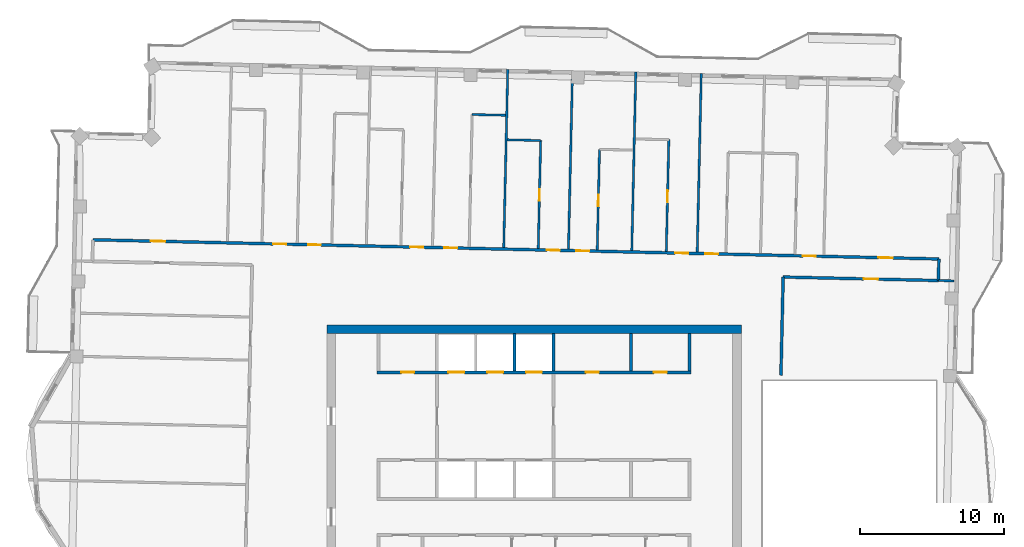
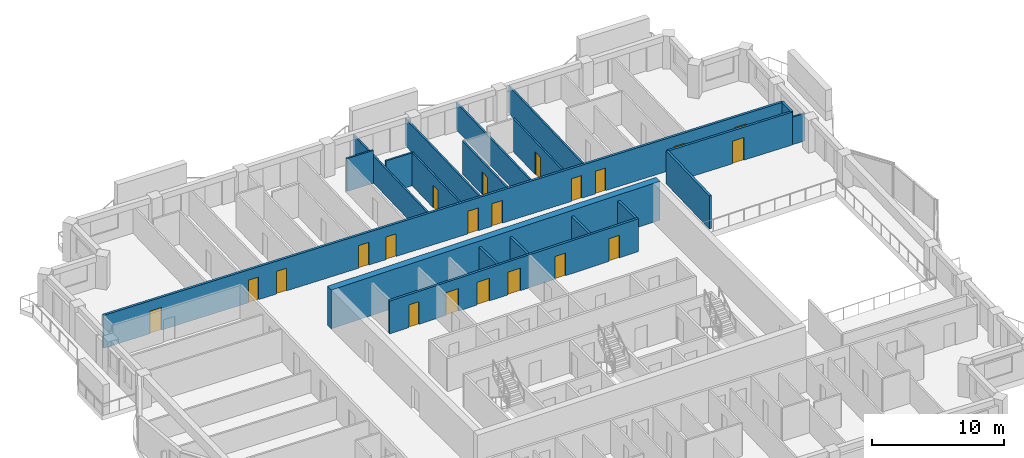
# One storey, part 9 of 15: 21 doors, 20 walls, 21 openings.
"""IFC4 building model written with IfcOpenShell, lengths in metres."""

import ifcopenshell
import ifcopenshell.guid

model = None  # the IFC model being written
_history = None  # IfcOwnerHistory: only IFC2X3 demands one
_inside = {}  # id of a spatial element -> (the spatial element, [elements in it])
_under = {}  # id of a project, library or spatial element -> (it, [spatial elements below it])
_declared = {}  # id of a project -> (the project, [libraries it declares])
_typed = {}  # id of a type object -> (the type object, [elements of that type])
_made_of = {}  # id of a material, layer set ... -> (it, [elements and type objects made of it])


def new_model(schema):
    """Start an empty IFC model of exactly this schema.

    Asked for "IFC4X3", IfcOpenShell would pick the latest addendum, in which some entities
    have other attributes; the version numbers below select the first issue.
    IFC2X3 requires an IfcOwnerHistory on every rooted entity: one is made here for all.
    """
    global model, _history
    if schema == "IFC4X3":
        model = ifcopenshell.file(schema_version=(4, 3, 0, 0))
    else:
        model = ifcopenshell.file(schema=schema)
    _inside.clear()
    _under.clear()
    _declared.clear()
    _typed.clear()
    _made_of.clear()
    _history = None
    if model.schema == "IFC2X3":
        org = make("IfcOrganization", Name="unknown")
        user = make(
            "IfcPersonAndOrganization",
            ThePerson=make("IfcPerson", FamilyName="unknown"),
            TheOrganization=org,
        )
        app = make(
            "IfcApplication",
            ApplicationDeveloper=org,
            Version="unknown",
            ApplicationFullName="unknown",
            ApplicationIdentifier="unknown",
        )
        _history = make(
            "IfcOwnerHistory",
            OwningUser=user,
            OwningApplication=app,
            ChangeAction="ADDED",
            CreationDate=0,
        )
    return model


def make(cls, **values):
    """One entity of the class cls with the attributes given. An attribute that is None is left unset."""
    return model.create_entity(
        cls, **{name: value for name, value in values.items() if value is not None}
    )


def rooted(cls, **values):
    """An entity with a GlobalId (a new one), such as an element, a storey or a relation."""
    return make(cls, GlobalId=ifcopenshell.guid.new(), OwnerHistory=_history, **values)


def si_unit(unit_type, name, prefix=None):
    """IfcSIUnit, for example si_unit("LENGTHUNIT", "METRE", prefix="MILLI")."""
    return make("IfcSIUnit", UnitType=unit_type, Prefix=prefix, Name=name)


def assignment(units):
    """IfcUnitAssignment: the units of a project."""
    return None if units is None else make("IfcUnitAssignment", Units=units)


def point(xyz):
    """IfcCartesianPoint."""
    return None if xyz is None else make("IfcCartesianPoint", Coordinates=xyz)


def direction(xyz):
    """IfcDirection."""
    return None if xyz is None else make("IfcDirection", DirectionRatios=xyz)


def frame(location, z_axis=None, x_axis=None):
    """IfcAxis2Placement3D, a coordinate frame: its origin and axes. An axis left out is left unset."""
    return make(
        "IfcAxis2Placement3D",
        Location=point(location),
        Axis=direction(z_axis),
        RefDirection=direction(x_axis),
    )


def frame_2d(location, x_axis=None):
    """IfcAxis2Placement2D, a coordinate frame in the plane: its origin and x axis."""
    return make(
        "IfcAxis2Placement2D", Location=point(location), RefDirection=direction(x_axis)
    )


def origin():
    """The frame at (0, 0, 0) with its axes left unset."""
    return frame((0.0, 0.0, 0.0))


def place(relative_to, where):
    """IfcLocalPlacement: puts the frame where relative to a parent placement (None: the world)."""
    return make(
        "IfcLocalPlacement", PlacementRelTo=relative_to, RelativePlacement=where
    )


def context(
    kind, dimensions, precision=None, world=None, true_north=None, identifier=None
):
    """IfcGeometricRepresentationContext, for example the 3D "Model" context."""
    return make(
        "IfcGeometricRepresentationContext",
        ContextIdentifier=identifier,
        ContextType=kind,
        CoordinateSpaceDimension=dimensions,
        Precision=precision,
        WorldCoordinateSystem=world,
        TrueNorth=true_north,
    )


def subcontext(parent, identifier, kind, view, scale=None):
    """IfcGeometricRepresentationSubContext, for example "Body" below "Model"."""
    return make(
        "IfcGeometricRepresentationSubContext",
        ContextIdentifier=identifier,
        ContextType=kind,
        ParentContext=parent,
        TargetScale=scale,
        TargetView=view,
    )


def project(units=None, contexts=None):
    """IfcProject with its units and contexts."""
    return rooted(
        "IfcProject",
        Name="project",
        RepresentationContexts=contexts,
        UnitsInContext=assignment(units),
    )


def spatial(cls, under=None, at=None, **own):
    """A site, building, storey or space (cls), placed at a placement, below another one or the project."""
    s = rooted(cls, ObjectPlacement=at, **own)
    if under is not None:
        _under.setdefault(under.id(), (under, []))[1].append(s)
    return s


def profile(cls, at=None, kind="AREA", **sizes):
    """A parametric profile (cls). Its sizes go by their IFC names, for example OverallWidth=200.0."""
    return make(cls, ProfileType=kind, Position=at, **sizes)


def rectangle(**sizes):
    """IfcRectangleProfileDef."""
    return profile("IfcRectangleProfileDef", **sizes)


def extrude(swept, where, along, depth):
    """IfcExtrudedAreaSolid: the profile swept, set in the frame where, extruded along a direction by depth."""
    return make(
        "IfcExtrudedAreaSolid",
        SweptArea=swept,
        Position=where,
        ExtrudedDirection=direction(along),
        Depth=depth,
    )


def shape(context_of_items, identifier, shape_type, items):
    """IfcShapeRepresentation: the items that make up one representation, for example the "Body"."""
    return make(
        "IfcShapeRepresentation",
        ContextOfItems=context_of_items,
        RepresentationIdentifier=identifier,
        RepresentationType=shape_type,
        Items=items,
    )


def material(Name=None, Category=None):
    """IfcMaterial."""
    return make("IfcMaterial", Name=Name, Category=Category)


def layer(
    of_material, thickness, ventilated=None, Name=None, Category=None, Priority=None
):
    """IfcMaterialLayer: one layer of a wall or slab, of a material (None: an air gap)."""
    return make(
        "IfcMaterialLayer",
        Material=of_material,
        LayerThickness=thickness,
        IsVentilated=ventilated,
        Name=Name,
        Category=Category,
        Priority=Priority,
    )


def layer_set(layers, Name=None):
    """IfcMaterialLayerSet."""
    return make("IfcMaterialLayerSet", MaterialLayers=layers, LayerSetName=Name)


def made_of(thing, what):
    """Note that an element or type object is made of a material, layer set ...; save() writes the relation."""
    if what is not None:
        _made_of.setdefault(what.id(), (what, []))[1].append(thing)
    return thing


def type_object(cls, material=None, **own):
    """A type object (cls), such as IfcWallType, which elements share."""
    return made_of(rooted(cls, **own), material)


def element(
    cls,
    number,
    at=None,
    inside=None,
    cuts=None,
    type_object=None,
    material=None,
    context=None,
    identifier="Body",
    shape_type=None,
    held_by="IfcProductDefinitionShape",
    body=None,
    shapes=None,
    **own,
):
    """One element of the class cls, such as IfcWall. Its Tag is "e" and its number.

    at: its placement. inside: the storey or other place that contains it. cuts: it is an
    opening in that element (IfcRelVoidsElement). A single representation is given by context,
    identifier, shape_type and body (its items); several are given by shapes. held_by: the class
    of the entity that holds the representations. save() writes the other relations.
    """
    e = rooted(cls, Tag="e%d" % number, ObjectPlacement=at, **own)
    if body is not None:
        shapes = [shape(context, identifier, shape_type, body)]
    if shapes is not None:
        e.Representation = make(held_by, Representations=shapes)
    if inside is not None:
        _inside.setdefault(inside.id(), (inside, []))[1].append(e)
    if cuts is not None:
        rooted(
            "IfcRelVoidsElement", RelatingBuildingElement=cuts, RelatedOpeningElement=e
        )
    if type_object is not None:
        _typed.setdefault(type_object.id(), (type_object, []))[1].append(e)
    return made_of(e, material)


def fill(opening, filler):
    """IfcRelFillsElement: the door or window that sits in an opening."""
    return rooted(
        "IfcRelFillsElement",
        RelatingOpeningElement=opening,
        RelatedBuildingElement=filler,
    )


def aggregate(whole, parts):
    """IfcRelAggregates: a whole, such as a stair, and the parts it consists of."""
    return rooted("IfcRelAggregates", RelatingObject=whole, RelatedObjects=parts)


def save(model, path):
    """Write the relations noted so far, then the file.

    IfcRelAggregates (storeys below a building ...), IfcRelContainedInSpatialStructure (elements
    in a storey), IfcRelDefinesByType, IfcRelAssociatesMaterial and IfcRelDeclares: one each for
    every whole, place, type object, material and project.
    """
    for whole, parts in _under.values():
        aggregate(whole, parts)
    for where, things in _inside.values():
        rooted(
            "IfcRelContainedInSpatialStructure",
            RelatedElements=things,
            RelatingStructure=where,
        )
    for kind, things in _typed.values():
        rooted("IfcRelDefinesByType", RelatedObjects=things, RelatingType=kind)
    for what, things in _made_of.values():
        rooted("IfcRelAssociatesMaterial", RelatedObjects=things, RelatingMaterial=what)
    for by, libraries in _declared.values():
        rooted("IfcRelDeclares", RelatingContext=by, RelatedDefinitions=libraries)
    model.write(path)


model = new_model("IFC4")

# Units and contexts
model_context = context("Model", 3, precision=1e-05, world=origin(), true_north=direction((0.0, 1.0)))
body_context = subcontext(model_context, "Body", "Model", "MODEL_VIEW")
ifc_project = project(units=[si_unit("LENGTHUNIT", "METRE"), si_unit("AREAUNIT", "SQUARE_METRE"), si_unit("VOLUMEUNIT", "CUBIC_METRE"), si_unit("PLANEANGLEUNIT", "RADIAN"), si_unit("MASSUNIT", "GRAM", prefix="KILO")], contexts=[model_context])

# Site, building, storey
site_placement = place(None, origin())
site = spatial("IfcSite", under=ifc_project, at=site_placement, CompositionType="ELEMENT")
building_placement = place(site_placement, origin())
building = spatial("IfcBuilding", under=site, at=building_placement, Name="Mangrove Gate Tower", CompositionType="ELEMENT")
storey_placement = place(building_placement, frame((0.0, 0.0, 309.699951171875)))
storey = spatial("IfcBuildingStorey", under=building, at=storey_placement, Name="L79", CompositionType="ELEMENT", Elevation=309.699951171875)

# Walls
ifc_material_1 = material(Name="Concrete C32/40", Category="concrete")
ifc_layer_1 = layer(ifc_material_1, 0.199951171875)
ifc_layer_set_1 = layer_set([ifc_layer_1], Name="Core room wall 200 C32/40")
wall_type_1 = type_object("IfcWallType", Name="Core room wall 200 C32/40", PredefinedType="STANDARD", material=ifc_layer_set_1)
for number, where, z_axis, x_axis, name in (
    (1, (6.75, 8.199951171875, 0.0), (0.0, 0.0, 1.0), (0.0, 1.0, 0.0), "WALL-L79-CORE-31"),
    (2, (10.800048828125, 8.199951171875, 0.0), (0.0, 0.0, 1.0), (0.0, 1.0, 0.0), "WALL-L79-CORE-32"),
):
    element("IfcWall", number, at=place(storey_placement, frame(where, z_axis=z_axis, x_axis=x_axis)), inside=storey, type_object=wall_type_1, Name=name, PredefinedType="STANDARD", context=body_context, shape_type="SweptSolid", body=[
        extrude(rectangle(XDim=2.60009765625, YDim=0.199951171875, at=frame_2d((1.300048828125, 0.0))), origin(), (0.0, 0.0, 1.0), 3.050048828125),
    ])

# Wall, openings, doors
ifc_material_2 = material(Name="Concrete C50/60", Category="concrete")
ifc_layer_2 = layer(ifc_material_2, 0.199951171875)
ifc_layer_set_2 = layer_set([ifc_layer_2], Name="Core shaft wall 200 C50/60")
wall_type_2 = type_object("IfcWallType", Name="Core shaft wall 200 C50/60", PredefinedType="SHEAR", material=ifc_layer_set_2)
wall_1_placement = place(storey_placement, frame((-10.89990234375, 8.10009765625, 0.0), z_axis=(0.0, 0.0, 1.0), x_axis=(1.0, 0.0, 0.0)))
wall_1 = element("IfcWall", 3, at=wall_1_placement, inside=storey, type_object=wall_type_2, Name="WALL-L79-CORE-8", PredefinedType="SHEAR", context=body_context, shape_type="SweptSolid", body=[
    extrude(rectangle(XDim=21.7998046875, YDim=0.199951171875, at=frame_2d((10.89990234375, 0.0))), origin(), (0.0, 0.0, 1.0), 3.050048828125),
])
opening_1_placement = place(wall_1_placement, frame((4.949951171875, 0.0, 0.0)))
opening_1 = element("IfcOpeningElement", 4, at=opening_1_placement, cuts=wall_1, Name="Opening LD", PredefinedType="OPENING", context=body_context, shape_type="SweptSolid", body=[
    extrude(rectangle(XDim=1.10009765625, YDim=2.10009765625, at=frame_2d((0.550048828125, 1.050048828125))), frame((0.0, 0.10986328125, 0.0), z_axis=(0.0, -1.0, 0.0), x_axis=(1.0, 0.0, 0.0)), (0.0, 0.0, 1.0), 0.219970703125),
])
opening_2_placement = place(wall_1_placement, frame((7.64990234375, 0.0, 0.0)))
opening_2 = element("IfcOpeningElement", 5, at=opening_2_placement, cuts=wall_1, Name="Opening LD", PredefinedType="OPENING", context=body_context, shape_type="SweptSolid", body=[
    extrude(rectangle(XDim=1.10009765625, YDim=2.10009765625, at=frame_2d((0.550048828125, 1.050048828125))), frame((0.0, 0.10986328125, 0.0), z_axis=(0.0, -1.0, 0.0), x_axis=(1.0, 0.0, 0.0)), (0.0, 0.0, 1.0), 0.219970703125),
])
opening_3_placement = place(wall_1_placement, frame((10.35009765625, 0.0, 0.0)))
opening_3 = element("IfcOpeningElement", 6, at=opening_3_placement, cuts=wall_1, Name="Opening LD", PredefinedType="OPENING", context=body_context, shape_type="SweptSolid", body=[
    extrude(rectangle(XDim=1.10009765625, YDim=2.10009765625, at=frame_2d((0.550048828125, 1.050048828125))), frame((0.0, 0.10986328125, 0.0), z_axis=(0.0, -1.0, 0.0), x_axis=(1.0, 0.0, 0.0)), (0.0, 0.0, 1.0), 0.219970703125),
])
opening_4_placement = place(wall_1_placement, frame((1.675048828125, 0.0, 0.0)))
opening_4 = element("IfcOpeningElement", 7, at=opening_4_placement, cuts=wall_1, Name="Opening KD", PredefinedType="OPENING", context=body_context, shape_type="SweptSolid", body=[
    extrude(rectangle(XDim=0.89990234375, YDim=2.10009765625, at=frame_2d((0.449951171875, 1.050048828125))), frame((0.0, 0.10986328125, 0.0), z_axis=(0.0, -1.0, 0.0), x_axis=(1.0, 0.0, 0.0)), (0.0, 0.0, 1.0), 0.219970703125),
])
opening_5_placement = place(wall_1_placement, frame((14.5, 0.0, 0.0)))
opening_5 = element("IfcOpeningElement", 8, at=opening_5_placement, cuts=wall_1, Name="Opening RD", PredefinedType="OPENING", context=body_context, shape_type="SweptSolid", body=[
    extrude(rectangle(XDim=0.89990234375, YDim=2.10009765625, at=frame_2d((0.449951171875, 1.050048828125))), frame((0.0, 0.10986328125, 0.0), z_axis=(0.0, -1.0, 0.0), x_axis=(1.0, 0.0, 0.0)), (0.0, 0.0, 1.0), 0.219970703125),
])
opening_6_placement = place(wall_1_placement, frame((19.22509765625, 0.0, 0.0)))
opening_6 = element("IfcOpeningElement", 9, at=opening_6_placement, cuts=wall_1, Name="Opening RD", PredefinedType="OPENING", context=body_context, shape_type="SweptSolid", body=[
    extrude(rectangle(XDim=0.89990234375, YDim=2.10009765625, at=frame_2d((0.449951171875, 1.050048828125))), frame((0.0, 0.10986328125, 0.0), z_axis=(0.0, -1.0, 0.0), x_axis=(1.0, 0.0, 0.0)), (0.0, 0.0, 1.0), 0.219970703125),
])
ifc_material_3 = material(Name="Fire-rated steel door set", Category="steel")
door_type_1 = type_object("IfcDoorType", Name="Core room door FD30S 900x2100", OperationType="SINGLE_SWING_RIGHT", PredefinedType="DOOR", material=ifc_material_3)
door_1_placement = place(opening_4_placement, origin())
door_1 = element("IfcDoor", 10, at=door_1_placement, inside=storey, type_object=door_type_1, Name="Core room door Linen store", OperationType="SINGLE_SWING_RIGHT", OverallHeight=2.10009765625, OverallWidth=0.89990234375, PredefinedType="DOOR", context=body_context, shape_type="SweptSolid", body=[
    extrude(rectangle(XDim=0.89990234375, YDim=2.10009765625, at=frame_2d((0.449951171875, 1.050048828125))), frame((0.0, 0.02490234375, 0.0), z_axis=(0.0, -1.0, 0.0), x_axis=(1.0, 0.0, 0.0)), (0.0, 0.0, 1.0), 0.050048828125),
])
fill(opening_4, door_1)
ifc_material_4 = material(Name="Stainless steel 316", Category="steel")
door_type_2 = type_object("IfcDoorType", Name="Lift landing door 1100x2100", OperationType="SLIDING_TO_LEFT", PredefinedType="DOOR", material=ifc_material_4)
door_2_placement = place(opening_1_placement, origin())
door_2 = element("IfcDoor", 11, at=door_2_placement, inside=storey, type_object=door_type_2, Name="Landing door LD H04", OperationType="SLIDING_TO_LEFT", OverallHeight=2.10009765625, OverallWidth=1.10009765625, PredefinedType="DOOR", context=body_context, shape_type="SweptSolid", body=[
    extrude(rectangle(XDim=1.10009765625, YDim=2.10009765625, at=frame_2d((0.550048828125, 1.050048828125))), frame((0.0, 0.02490234375, 0.0), z_axis=(0.0, -1.0, 0.0), x_axis=(1.0, 0.0, 0.0)), (0.0, 0.0, 1.0), 0.050048828125),
])
fill(opening_1, door_2)
door_3_placement = place(opening_2_placement, origin())
door_3 = element("IfcDoor", 12, at=door_3_placement, inside=storey, type_object=door_type_2, Name="Landing door LD H05", OperationType="SLIDING_TO_LEFT", OverallHeight=2.10009765625, OverallWidth=1.10009765625, PredefinedType="DOOR", context=body_context, shape_type="SweptSolid", body=[
    extrude(rectangle(XDim=1.10009765625, YDim=2.10009765625, at=frame_2d((0.550048828125, 1.050048828125))), frame((0.0, 0.02490234375, 0.0), z_axis=(0.0, -1.0, 0.0), x_axis=(1.0, 0.0, 0.0)), (0.0, 0.0, 1.0), 0.050048828125),
])
fill(opening_2, door_3)
door_4_placement = place(opening_3_placement, origin())
door_4 = element("IfcDoor", 13, at=door_4_placement, inside=storey, type_object=door_type_2, Name="Landing door LD H06", OperationType="SLIDING_TO_LEFT", OverallHeight=2.10009765625, OverallWidth=1.10009765625, PredefinedType="DOOR", context=body_context, shape_type="SweptSolid", body=[
    extrude(rectangle(XDim=1.10009765625, YDim=2.10009765625, at=frame_2d((0.550048828125, 1.050048828125))), frame((0.0, 0.02490234375, 0.0), z_axis=(0.0, -1.0, 0.0), x_axis=(1.0, 0.0, 0.0)), (0.0, 0.0, 1.0), 0.050048828125),
])
fill(opening_3, door_4)
ifc_material_5 = material(Name="Fire-rated steel door set", Category="steel")
door_type_3 = type_object("IfcDoorType", Name="Riser door FD30S 900x2100", OperationType="SINGLE_SWING_LEFT", PredefinedType="DOOR", material=ifc_material_5)
door_5_placement = place(opening_5_placement, origin())
door_5 = element("IfcDoor", 14, at=door_5_placement, inside=storey, type_object=door_type_3, Name="Riser door Switch room", OperationType="SINGLE_SWING_LEFT", OverallHeight=2.10009765625, OverallWidth=0.89990234375, PredefinedType="DOOR", context=body_context, shape_type="SweptSolid", body=[
    extrude(rectangle(XDim=0.89990234375, YDim=2.10009765625, at=frame_2d((0.449951171875, 1.050048828125))), frame((0.0, 0.02490234375, 0.0), z_axis=(0.0, -1.0, 0.0), x_axis=(1.0, 0.0, 0.0)), (0.0, 0.0, 1.0), 0.050048828125),
])
fill(opening_5, door_5)
door_6_placement = place(opening_6_placement, origin())
door_6 = element("IfcDoor", 15, at=door_6_placement, inside=storey, type_object=door_type_3, Name="Riser door Comms room", OperationType="SINGLE_SWING_LEFT", OverallHeight=2.10009765625, OverallWidth=0.89990234375, PredefinedType="DOOR", context=body_context, shape_type="SweptSolid", body=[
    extrude(rectangle(XDim=0.89990234375, YDim=2.10009765625, at=frame_2d((0.449951171875, 1.050048828125))), frame((0.0, 0.02490234375, 0.0), z_axis=(0.0, -1.0, 0.0), x_axis=(1.0, 0.0, 0.0)), (0.0, 0.0, 1.0), 0.050048828125),
])
fill(opening_6, door_6)

# Walls
for number, where, z_axis, x_axis, name in (
    (16, (-1.35009765625, 8.199951171875, 0.0), (0.0, 0.0, 1.0), (0.0, 1.0, 0.0), "WALL-L79-CORE-29"),
    (17, (1.35009765625, 8.199951171875, 0.0), (0.0, 0.0, 1.0), (0.0, 1.0, 0.0), "WALL-L79-CORE-30"),
):
    element("IfcWall", number, at=place(storey_placement, frame(where, z_axis=z_axis, x_axis=x_axis)), inside=storey, type_object=wall_type_2, Name=name, PredefinedType="SHEAR", context=body_context, shape_type="SweptSolid", body=[
        extrude(rectangle(XDim=2.60009765625, YDim=0.199951171875, at=frame_2d((1.300048828125, 0.0))), origin(), (0.0, 0.0, 1.0), 3.050048828125),
    ])
ifc_material_6 = material(Name="Concrete C50/60", Category="concrete")
ifc_layer_3 = layer(ifc_material_6, 0.60009765625)
ifc_layer_set_3 = layer_set([ifc_layer_3], Name="Core wall 600 C50/60")
wall_type_3 = type_object("IfcWallType", Name="Core wall 600 C50/60", PredefinedType="SHEAR", material=ifc_layer_set_3)
wall_2_placement = place(storey_placement, frame((-14.39990234375, 11.10009765625, 0.0), z_axis=(0.0, 0.0, 1.0), x_axis=(1.0, 0.0, 0.0)))
element("IfcWall", 18, at=wall_2_placement, inside=storey, type_object=wall_type_3, Name="WALL-L79-CORE-2", PredefinedType="SHEAR", context=body_context, shape_type="SweptSolid", body=[
    extrude(rectangle(XDim=28.7998046875, YDim=0.60009765625, at=frame_2d((14.39990234375, 0.0))), origin(), (0.0, 0.0, 1.0), 3.60009765625),
])
ifc_material_7 = material(Name="Gypsum board on steel stud, EI 60", Category="steel")
ifc_layer_4 = layer(ifc_material_7, 0.199951171875)
ifc_layer_set_4 = layer_set([ifc_layer_4], Name="Corridor wall EI 60")
wall_type_4 = type_object("IfcWallType", Name="Corridor wall EI 60", PredefinedType="PARTITIONING", material=ifc_layer_set_4)
wall_3_placement = place(storey_placement, frame((17.156982421875, 7.89794921875, 0.0), z_axis=(0.0, 0.0, 1.0), x_axis=(0.022562209343, 0.999745440955, 0.0)))
element("IfcWall", 19, at=wall_3_placement, inside=storey, type_object=wall_type_4, Name="WALL-L79-049", PredefinedType="PARTITIONING", context=body_context, shape_type="SweptSolid", body=[
    extrude(rectangle(XDim=6.827880859375, YDim=0.199951171875, at=frame_2d((3.4140625, 0.0))), origin(), (0.0, 0.0, 1.0), 3.050048828125),
])

# Wall, opening, door
wall_4_placement = place(storey_placement, frame((17.305908203125, 14.72412109375, 0.0), z_axis=(0.0, 0.0, 1.0), x_axis=(0.999744269809, -0.022614043969, 0.0)))
wall_4 = element("IfcWall", 20, at=wall_4_placement, inside=storey, type_object=wall_type_4, Name="WALL-L79-055", PredefinedType="PARTITIONING", context=body_context, shape_type="SweptSolid", body=[
    extrude(rectangle(XDim=10.7958984375, YDim=0.199951171875, at=frame_2d((5.39794921875, 0.0))), origin(), (0.0, 0.0, 1.0), 3.050048828125),
])
opening_7_placement = place(wall_4_placement, frame((5.597900390625, 0.0, 0.0)))
opening_7 = element("IfcOpeningElement", 21, at=opening_7_placement, cuts=wall_4, Name="Opening AD", PredefinedType="OPENING", context=body_context, shape_type="SweptSolid", body=[
    extrude(rectangle(XDim=1.0, YDim=2.10009765625, at=frame_2d((0.5, 1.050048828125))), frame((0.0, 0.10986328125, 0.0), z_axis=(0.0, -1.0, 0.0), x_axis=(1.0, 0.0, 0.0)), (0.0, 0.0, 1.0), 0.219970703125),
])
ifc_material_8 = material(Name="Timber door leaf", Category="wood")
door_type_4 = type_object("IfcDoorType", Name="Amenity door 1000", OperationType="SINGLE_SWING_LEFT", PredefinedType="DOOR", material=ifc_material_8)
door_7_placement = place(opening_7_placement, origin())
door_7 = element("IfcDoor", 22, at=door_7_placement, inside=storey, type_object=door_type_4, Name="DOOR-L79-GAM-c3a", OperationType="SINGLE_SWING_RIGHT", OverallHeight=2.10009765625, OverallWidth=1.0, PredefinedType="DOOR", context=body_context, shape_type="SweptSolid", body=[
    extrude(rectangle(XDim=1.0, YDim=2.10009765625, at=frame_2d((0.5, 1.050048828125))), frame((0.0, 0.02490234375, 0.0), z_axis=(0.0, -1.0, 0.0), x_axis=(1.0, 0.0, 0.0)), (0.0, 0.0, 1.0), 0.050048828125),
])
fill(opening_7, door_7)

# Wall
wall_5_placement = place(storey_placement, frame((28.09912109375, 14.47998046875, 0.0), z_axis=(0.0, 0.0, 1.0), x_axis=(0.022632637625, 0.99974384905, 0.0)))
element("IfcWall", 23, at=wall_5_placement, inside=storey, type_object=wall_type_4, Name="WALL-L79-057", PredefinedType="PARTITIONING", context=body_context, shape_type="SweptSolid", body=[
    extrude(rectangle(XDim=1.49951171875, YDim=0.199951171875, at=frame_2d((0.749755859375, 0.0))), origin(), (0.0, 0.0, 1.0), 3.050048828125),
])

# Wall, openings, doors
wall_6_placement = place(storey_placement, frame((-30.652099609375, 17.31298828125, 0.0), z_axis=(0.0, 0.0, 1.0), x_axis=(0.999742623764, -0.02268669719, 0.0)))
wall_6 = element("IfcWall", 24, at=wall_6_placement, inside=storey, type_object=wall_type_4, Name="WALL-L79-058", PredefinedType="PARTITIONING", context=body_context, shape_type="SweptSolid", body=[
    extrude(rectangle(XDim=58.80029296875, YDim=0.199951171875, at=frame_2d((29.400146484375, 0.0))), origin(), (0.0, 0.0, 1.0), 3.050048828125),
])
opening_8_placement = place(wall_6_placement, frame((54.60107421875, 0.0, 0.0)))
opening_8 = element("IfcOpeningElement", 25, at=opening_8_placement, cuts=wall_6, Name="Opening AD", PredefinedType="OPENING", context=body_context, shape_type="SweptSolid", body=[
    extrude(rectangle(XDim=1.0, YDim=2.10009765625, at=frame_2d((0.5, 1.050048828125))), frame((0.0, 0.10986328125, 0.0), z_axis=(0.0, -1.0, 0.0), x_axis=(1.0, 0.0, 0.0)), (0.0, 0.0, 1.0), 0.219970703125),
])
opening_9_placement = place(wall_6_placement, frame((49.35009765625, 0.0, 0.0)))
opening_9 = element("IfcOpeningElement", 26, at=opening_9_placement, cuts=wall_6, Name="Opening BD", PredefinedType="OPENING", context=body_context, shape_type="SweptSolid", body=[
    extrude(rectangle(XDim=0.89990234375, YDim=2.10009765625, at=frame_2d((0.449951171875, 1.050048828125))), frame((0.0, 0.10986328125, 0.0), z_axis=(0.0, -1.0, 0.0), x_axis=(1.0, 0.0, 0.0)), (0.0, 0.0, 1.0), 0.219970703125),
])
opening_10_placement = place(wall_6_placement, frame((42.550048828125, 0.0, 0.0)))
opening_10 = element("IfcOpeningElement", 27, at=opening_10_placement, cuts=wall_6, Name="Opening BD", PredefinedType="OPENING", context=body_context, shape_type="SweptSolid", body=[
    extrude(rectangle(XDim=0.89990234375, YDim=2.10009765625, at=frame_2d((0.449951171875, 1.050048828125))), frame((0.0, 0.10986328125, 0.0), z_axis=(0.0, -1.0, 0.0), x_axis=(1.0, 0.0, 0.0)), (0.0, 0.0, 1.0), 0.219970703125),
])
opening_11_placement = place(wall_6_placement, frame((40.47509765625, 0.0, 0.0)))
opening_11 = element("IfcOpeningElement", 28, at=opening_11_placement, cuts=wall_6, Name="Opening BD", PredefinedType="OPENING", context=body_context, shape_type="SweptSolid", body=[
    extrude(rectangle(XDim=0.89990234375, YDim=2.10009765625, at=frame_2d((0.449951171875, 1.050048828125))), frame((0.0, 0.10986328125, 0.0), z_axis=(0.0, -1.0, 0.0), x_axis=(1.0, 0.0, 0.0)), (0.0, 0.0, 1.0), 0.219970703125),
])
opening_12_placement = place(wall_6_placement, frame((33.60009765625, 0.0, 0.0)))
opening_12 = element("IfcOpeningElement", 29, at=opening_12_placement, cuts=wall_6, Name="Opening BD", PredefinedType="OPENING", context=body_context, shape_type="SweptSolid", body=[
    extrude(rectangle(XDim=0.89990234375, YDim=2.10009765625, at=frame_2d((0.449951171875, 1.050048828125))), frame((0.0, 0.10986328125, 0.0), z_axis=(0.0, -1.0, 0.0), x_axis=(1.0, 0.0, 0.0)), (0.0, 0.0, 1.0), 0.219970703125),
])
opening_13_placement = place(wall_6_placement, frame((31.550048828125, 0.0, 0.0)))
opening_13 = element("IfcOpeningElement", 30, at=opening_13_placement, cuts=wall_6, Name="Opening BD", PredefinedType="OPENING", context=body_context, shape_type="SweptSolid", body=[
    extrude(rectangle(XDim=0.89990234375, YDim=2.10009765625, at=frame_2d((0.449951171875, 1.050048828125))), frame((0.0, 0.10986328125, 0.0), z_axis=(0.0, -1.0, 0.0), x_axis=(1.0, 0.0, 0.0)), (0.0, 0.0, 1.0), 0.219970703125),
])
opening_14_placement = place(wall_6_placement, frame((24.425048828125, 0.0, 0.0)))
opening_14 = element("IfcOpeningElement", 31, at=opening_14_placement, cuts=wall_6, Name="Opening BD", PredefinedType="OPENING", context=body_context, shape_type="SweptSolid", body=[
    extrude(rectangle(XDim=0.89990234375, YDim=2.10009765625, at=frame_2d((0.449951171875, 1.050048828125))), frame((0.0, 0.10986328125, 0.0), z_axis=(0.0, -1.0, 0.0), x_axis=(1.0, 0.0, 0.0)), (0.0, 0.0, 1.0), 0.219970703125),
])
opening_15_placement = place(wall_6_placement, frame((22.050048828125, 0.0, 0.0)))
opening_15 = element("IfcOpeningElement", 32, at=opening_15_placement, cuts=wall_6, Name="Opening BD", PredefinedType="OPENING", context=body_context, shape_type="SweptSolid", body=[
    extrude(rectangle(XDim=0.89990234375, YDim=2.10009765625, at=frame_2d((0.449951171875, 1.050048828125))), frame((0.0, 0.10986328125, 0.0), z_axis=(0.0, -1.0, 0.0), x_axis=(1.0, 0.0, 0.0)), (0.0, 0.0, 1.0), 0.219970703125),
])
opening_16_placement = place(wall_6_placement, frame((14.949951171875, 0.0, 0.0)))
opening_16 = element("IfcOpeningElement", 33, at=opening_16_placement, cuts=wall_6, Name="Opening BD", PredefinedType="OPENING", context=body_context, shape_type="SweptSolid", body=[
    extrude(rectangle(XDim=0.89990234375, YDim=2.10009765625, at=frame_2d((0.449951171875, 1.050048828125))), frame((0.0, 0.10986328125, 0.0), z_axis=(0.0, -1.0, 0.0), x_axis=(1.0, 0.0, 0.0)), (0.0, 0.0, 1.0), 0.219970703125),
])
opening_17_placement = place(wall_6_placement, frame((12.52490234375, 0.0, 0.0)))
opening_17 = element("IfcOpeningElement", 34, at=opening_17_placement, cuts=wall_6, Name="Opening BD", PredefinedType="OPENING", context=body_context, shape_type="SweptSolid", body=[
    extrude(rectangle(XDim=0.89990234375, YDim=2.10009765625, at=frame_2d((0.449951171875, 1.050048828125))), frame((0.0, 0.10986328125, 0.0), z_axis=(0.0, -1.0, 0.0), x_axis=(1.0, 0.0, 0.0)), (0.0, 0.0, 1.0), 0.219970703125),
])
opening_18_placement = place(wall_6_placement, frame((4.031982421875, 0.0, 0.0)))
opening_18 = element("IfcOpeningElement", 35, at=opening_18_placement, cuts=wall_6, Name="Opening AD", PredefinedType="OPENING", context=body_context, shape_type="SweptSolid", body=[
    extrude(rectangle(XDim=1.0, YDim=2.10009765625, at=frame_2d((0.5, 1.050048828125))), frame((0.0, 0.10986328125, 0.0), z_axis=(0.0, -1.0, 0.0), x_axis=(1.0, 0.0, 0.0)), (0.0, 0.0, 1.0), 0.219970703125),
])
door_8_placement = place(opening_8_placement, origin())
door_8 = element("IfcDoor", 36, at=door_8_placement, inside=storey, type_object=door_type_4, Name="DOOR-L79-KIT-c3a", OperationType="SINGLE_SWING_LEFT", OverallHeight=2.10009765625, OverallWidth=1.0, PredefinedType="DOOR", context=body_context, shape_type="SweptSolid", body=[
    extrude(rectangle(XDim=1.0, YDim=2.10009765625, at=frame_2d((0.5, 1.050048828125))), frame((0.0, 0.02490234375, 0.0), z_axis=(0.0, -1.0, 0.0), x_axis=(1.0, 0.0, 0.0)), (0.0, 0.0, 1.0), 0.050048828125),
])
fill(opening_8, door_8)
door_9_placement = place(opening_18_placement, origin())
door_9 = element("IfcDoor", 37, at=door_9_placement, inside=storey, type_object=door_type_4, Name="DOOR-L79-KIT-c5a", OperationType="SINGLE_SWING_RIGHT", OverallHeight=2.10009765625, OverallWidth=1.0, PredefinedType="DOOR", context=body_context, shape_type="SweptSolid", body=[
    extrude(rectangle(XDim=1.0, YDim=2.10009765625, at=frame_2d((0.5, 1.050048828125))), frame((0.0, 0.02490234375, 0.0), z_axis=(0.0, -1.0, 0.0), x_axis=(1.0, 0.0, 0.0)), (0.0, 0.0, 1.0), 0.050048828125),
])
fill(opening_18, door_9)
ifc_material_9 = material(Name="Timber door leaf", Category="wood")
door_type_5 = type_object("IfcDoorType", Name="Bedroom door 900", OperationType="SINGLE_SWING_LEFT", PredefinedType="DOOR", material=ifc_material_9)
door_10_placement = place(opening_9_placement, origin())
door_10 = element("IfcDoor", 38, at=door_10_placement, inside=storey, type_object=door_type_5, Name="DOOR-L79-BED-c311", OperationType="SINGLE_SWING_LEFT", OverallHeight=2.10009765625, OverallWidth=0.89990234375, PredefinedType="DOOR", context=body_context, shape_type="SweptSolid", body=[
    extrude(rectangle(XDim=0.89990234375, YDim=2.10009765625, at=frame_2d((0.449951171875, 1.050048828125))), frame((0.0, 0.02490234375, 0.0), z_axis=(0.0, -1.0, 0.0), x_axis=(1.0, 0.0, 0.0)), (0.0, 0.0, 1.0), 0.050048828125),
])
fill(opening_9, door_10)
door_11_placement = place(opening_10_placement, origin())
door_11 = element("IfcDoor", 39, at=door_11_placement, inside=storey, type_object=door_type_5, Name="DOOR-L79-BED-c312", OperationType="SINGLE_SWING_RIGHT", OverallHeight=2.10009765625, OverallWidth=0.89990234375, PredefinedType="DOOR", context=body_context, shape_type="SweptSolid", body=[
    extrude(rectangle(XDim=0.89990234375, YDim=2.10009765625, at=frame_2d((0.449951171875, 1.050048828125))), frame((0.0, 0.02490234375, 0.0), z_axis=(0.0, -1.0, 0.0), x_axis=(1.0, 0.0, 0.0)), (0.0, 0.0, 1.0), 0.050048828125),
])
fill(opening_10, door_11)
door_12_placement = place(opening_11_placement, origin())
door_12 = element("IfcDoor", 40, at=door_12_placement, inside=storey, type_object=door_type_5, Name="DOOR-L79-BED-c413", OperationType="SINGLE_SWING_LEFT", OverallHeight=2.10009765625, OverallWidth=0.89990234375, PredefinedType="DOOR", context=body_context, shape_type="SweptSolid", body=[
    extrude(rectangle(XDim=0.89990234375, YDim=2.10009765625, at=frame_2d((0.449951171875, 1.050048828125))), frame((0.0, 0.02490234375, 0.0), z_axis=(0.0, -1.0, 0.0), x_axis=(1.0, 0.0, 0.0)), (0.0, 0.0, 1.0), 0.050048828125),
])
fill(opening_11, door_12)
door_13_placement = place(opening_12_placement, origin())
door_13 = element("IfcDoor", 41, at=door_13_placement, inside=storey, type_object=door_type_5, Name="DOOR-L79-BED-c414", OperationType="SINGLE_SWING_RIGHT", OverallHeight=2.10009765625, OverallWidth=0.89990234375, PredefinedType="DOOR", context=body_context, shape_type="SweptSolid", body=[
    extrude(rectangle(XDim=0.89990234375, YDim=2.10009765625, at=frame_2d((0.449951171875, 1.050048828125))), frame((0.0, 0.02490234375, 0.0), z_axis=(0.0, -1.0, 0.0), x_axis=(1.0, 0.0, 0.0)), (0.0, 0.0, 1.0), 0.050048828125),
])
fill(opening_12, door_13)
door_14_placement = place(opening_13_placement, origin())
door_14 = element("IfcDoor", 42, at=door_14_placement, inside=storey, type_object=door_type_5, Name="DOOR-L79-BED-c415", OperationType="SINGLE_SWING_LEFT", OverallHeight=2.10009765625, OverallWidth=0.89990234375, PredefinedType="DOOR", context=body_context, shape_type="SweptSolid", body=[
    extrude(rectangle(XDim=0.89990234375, YDim=2.10009765625, at=frame_2d((0.449951171875, 1.050048828125))), frame((0.0, 0.02490234375, 0.0), z_axis=(0.0, -1.0, 0.0), x_axis=(1.0, 0.0, 0.0)), (0.0, 0.0, 1.0), 0.050048828125),
])
fill(opening_13, door_14)
door_15_placement = place(opening_14_placement, origin())
door_15 = element("IfcDoor", 43, at=door_15_placement, inside=storey, type_object=door_type_5, Name="DOOR-L79-BED-c416", OperationType="SINGLE_SWING_RIGHT", OverallHeight=2.10009765625, OverallWidth=0.89990234375, PredefinedType="DOOR", context=body_context, shape_type="SweptSolid", body=[
    extrude(rectangle(XDim=0.89990234375, YDim=2.10009765625, at=frame_2d((0.449951171875, 1.050048828125))), frame((0.0, 0.02490234375, 0.0), z_axis=(0.0, -1.0, 0.0), x_axis=(1.0, 0.0, 0.0)), (0.0, 0.0, 1.0), 0.050048828125),
])
fill(opening_14, door_15)
door_16_placement = place(opening_15_placement, origin())
door_16 = element("IfcDoor", 44, at=door_16_placement, inside=storey, type_object=door_type_5, Name="DOOR-L79-BED-c517", OperationType="SINGLE_SWING_LEFT", OverallHeight=2.10009765625, OverallWidth=0.89990234375, PredefinedType="DOOR", context=body_context, shape_type="SweptSolid", body=[
    extrude(rectangle(XDim=0.89990234375, YDim=2.10009765625, at=frame_2d((0.449951171875, 1.050048828125))), frame((0.0, 0.02490234375, 0.0), z_axis=(0.0, -1.0, 0.0), x_axis=(1.0, 0.0, 0.0)), (0.0, 0.0, 1.0), 0.050048828125),
])
fill(opening_15, door_16)
door_17_placement = place(opening_16_placement, origin())
door_17 = element("IfcDoor", 45, at=door_17_placement, inside=storey, type_object=door_type_5, Name="DOOR-L79-BED-c518", OperationType="SINGLE_SWING_RIGHT", OverallHeight=2.10009765625, OverallWidth=0.89990234375, PredefinedType="DOOR", context=body_context, shape_type="SweptSolid", body=[
    extrude(rectangle(XDim=0.89990234375, YDim=2.10009765625, at=frame_2d((0.449951171875, 1.050048828125))), frame((0.0, 0.02490234375, 0.0), z_axis=(0.0, -1.0, 0.0), x_axis=(1.0, 0.0, 0.0)), (0.0, 0.0, 1.0), 0.050048828125),
])
fill(opening_16, door_17)
door_18_placement = place(opening_17_placement, origin())
door_18 = element("IfcDoor", 46, at=door_18_placement, inside=storey, type_object=door_type_5, Name="DOOR-L79-BED-c519", OperationType="SINGLE_SWING_LEFT", OverallHeight=2.10009765625, OverallWidth=0.89990234375, PredefinedType="DOOR", context=body_context, shape_type="SweptSolid", body=[
    extrude(rectangle(XDim=0.89990234375, YDim=2.10009765625, at=frame_2d((0.449951171875, 1.050048828125))), frame((0.0, 0.02490234375, 0.0), z_axis=(0.0, -1.0, 0.0), x_axis=(1.0, 0.0, 0.0)), (0.0, 0.0, 1.0), 0.050048828125),
])
fill(opening_17, door_18)

# Walls
ifc_material_10 = material(Name="Gypsum board on steel stud, EI 60", Category="steel")
ifc_layer_5 = layer(ifc_material_10, 0.14990234375)
ifc_layer_set_5 = layer_set([ifc_layer_5], Name="Party wall 150 EI 60")
wall_type_5 = type_object("IfcWallType", Name="Party wall 150 EI 60", PredefinedType="PARTITIONING", material=ifc_layer_set_5)
wall_7_placement = place(storey_placement, frame((28.09912109375, 14.47998046875, 0.0), z_axis=(0.0, 0.0, 1.0), x_axis=(0.999743779532, -0.022635708216, 0.0)))
element("IfcWall", 47, at=wall_7_placement, inside=storey, type_object=wall_type_5, Name="WALL-L79-056", PredefinedType="PARTITIONING", context=body_context, shape_type="SweptSolid", body=[
    extrude(rectangle(XDim=1.10009765625, YDim=0.14990234375, at=frame_2d((0.550048828125, 0.0))), origin(), (0.0, 0.0, 1.0), 2.550048828125),
])
wall_8_placement = place(storey_placement, frame((-2.10693359375, 16.764892578125, 0.0), z_axis=(0.0, 0.0, 1.0), x_axis=(0.022661029756, 0.999743205894, 0.0)))
element("IfcWall", 48, at=wall_8_placement, inside=storey, type_object=wall_type_5, Name="WALL-L79-067", PredefinedType="PARTITIONING", context=body_context, shape_type="SweptSolid", body=[
    extrude(rectangle(XDim=12.400390625, YDim=0.14990234375, at=frame_2d((6.2001953125, 0.0))), origin(), (0.0, 0.0, 1.0), 2.5),
])

# Wall, opening, door
wall_9_placement = place(storey_placement, frame((0.2919921875, 16.7109375, 0.0), z_axis=(0.0, 0.0, 1.0), x_axis=(0.022656334507, 0.999743312309, 0.0)))
wall_9 = element("IfcWall", 49, at=wall_9_placement, inside=storey, type_object=wall_type_5, Name="WALL-L79-068", PredefinedType="PARTITIONING", context=body_context, shape_type="SweptSolid", body=[
    extrude(rectangle(XDim=7.5, YDim=0.14990234375, at=frame_2d((3.75, 0.0))), origin(), (0.0, 0.0, 1.0), 3.050048828125),
])
opening_19_placement = place(wall_9_placement, frame((3.300048828125, 0.0, 0.0)))
opening_19 = element("IfcOpeningElement", 50, at=opening_19_placement, cuts=wall_9, Name="Opening ED", PredefinedType="OPENING", context=body_context, shape_type="SweptSolid", body=[
    extrude(rectangle(XDim=0.800048828125, YDim=2.10009765625, at=frame_2d((0.39990234375, 1.050048828125))), frame((0.0, 0.0849609375, 0.0), z_axis=(0.0, -1.0, 0.0), x_axis=(1.0, 0.0, 0.0)), (0.0, 0.0, 1.0), 0.169921875),
])
ifc_material_11 = material(Name="Timber door leaf", Category="wood")
door_type_6 = type_object("IfcDoorType", Name="En-suite door 800", OperationType="SINGLE_SWING_LEFT", PredefinedType="DOOR", material=ifc_material_11)
door_19_placement = place(opening_19_placement, origin())
door_19 = element("IfcDoor", 51, at=door_19_placement, inside=storey, type_object=door_type_6, Name="DOOR-L79-ENS-c415", OperationType="SINGLE_SWING_LEFT", OverallHeight=2.10009765625, OverallWidth=0.800048828125, PredefinedType="DOOR", context=body_context, shape_type="SweptSolid", body=[
    extrude(rectangle(XDim=0.800048828125, YDim=2.10009765625, at=frame_2d((0.39990234375, 1.050048828125))), frame((0.0, 0.02490234375, 0.0), z_axis=(0.0, -1.0, 0.0), x_axis=(1.0, 0.0, 0.0)), (0.0, 0.0, 1.0), 0.050048828125),
])
fill(opening_19, door_19)

# Wall
wall_10_placement = place(storey_placement, frame((2.39208984375, 16.6630859375, 0.0), z_axis=(0.0, 0.0, 1.0), x_axis=(0.022661475803, 0.999743195783, 0.0)))
element("IfcWall", 52, at=wall_10_placement, inside=storey, type_object=wall_type_5, Name="WALL-L79-069", PredefinedType="PARTITIONING", context=body_context, shape_type="SweptSolid", body=[
    extrude(rectangle(XDim=12.400146484375, YDim=0.14990234375, at=frame_2d((6.2001953125, 0.0))), origin(), (0.0, 0.0, 1.0), 2.5),
])

# Wall, opening, door
wall_11_placement = place(storey_placement, frame((4.39111328125, 16.617919921875, 0.0), z_axis=(0.0, 0.0, 1.0), x_axis=(0.022630826984, 0.999743890039, 0.0)))
wall_11 = element("IfcWall", 53, at=wall_11_placement, inside=storey, type_object=wall_type_5, Name="WALL-L79-070", PredefinedType="PARTITIONING", context=body_context, shape_type="SweptSolid", body=[
    extrude(rectangle(XDim=6.979736328125, YDim=0.14990234375, at=frame_2d((3.48974609375, 0.0))), origin(), (0.0, 0.0, 1.0), 3.050048828125),
])
opening_20_placement = place(wall_11_placement, frame((3.0400390625, 0.0, 0.0)))
opening_20 = element("IfcOpeningElement", 54, at=opening_20_placement, cuts=wall_11, Name="Opening ED", PredefinedType="OPENING", context=body_context, shape_type="SweptSolid", body=[
    extrude(rectangle(XDim=0.800048828125, YDim=2.10009765625, at=frame_2d((0.39990234375, 1.050048828125))), frame((0.0, 0.0849609375, 0.0), z_axis=(0.0, -1.0, 0.0), x_axis=(1.0, 0.0, 0.0)), (0.0, 0.0, 1.0), 0.169921875),
])
door_20_placement = place(opening_20_placement, origin())
door_20 = element("IfcDoor", 55, at=door_20_placement, inside=storey, type_object=door_type_6, Name="DOOR-L79-ENS-c414", OperationType="SINGLE_SWING_RIGHT", OverallHeight=2.10009765625, OverallWidth=0.800048828125, PredefinedType="DOOR", context=body_context, shape_type="SweptSolid", body=[
    extrude(rectangle(XDim=0.800048828125, YDim=2.10009765625, at=frame_2d((0.39990234375, 1.050048828125))), frame((0.0, 0.02490234375, 0.0), z_axis=(0.0, -1.0, 0.0), x_axis=(1.0, 0.0, 0.0)), (0.0, 0.0, 1.0), 0.050048828125),
])
fill(opening_20, door_20)

# Wall
wall_12_placement = place(storey_placement, frame((6.791015625, 16.56298828125, 0.0), z_axis=(0.0, 0.0, 1.0), x_axis=(0.022661475803, 0.999743195783, 0.0)))
element("IfcWall", 56, at=wall_12_placement, inside=storey, type_object=wall_type_5, Name="WALL-L79-071", PredefinedType="PARTITIONING", context=body_context, shape_type="SweptSolid", body=[
    extrude(rectangle(XDim=12.400146484375, YDim=0.14990234375, at=frame_2d((6.2001953125, 0.0))), origin(), (0.0, 0.0, 1.0), 2.5),
])

# Wall, opening, door
wall_13_placement = place(storey_placement, frame((9.18994140625, 16.509033203125, 0.0), z_axis=(0.0, 0.0, 1.0), x_axis=(0.022683528451, 0.999742695666, 0.0)))
wall_13 = element("IfcWall", 57, at=wall_13_placement, inside=storey, type_object=wall_type_5, Name="WALL-L79-072", PredefinedType="PARTITIONING", context=body_context, shape_type="SweptSolid", body=[
    extrude(rectangle(XDim=7.760009765625, YDim=0.14990234375, at=frame_2d((3.8798828125, 0.0))), origin(), (0.0, 0.0, 1.0), 3.050048828125),
])
opening_21_placement = place(wall_13_placement, frame((3.429931640625, 0.0, 0.0)))
opening_21 = element("IfcOpeningElement", 58, at=opening_21_placement, cuts=wall_13, Name="Opening ED", PredefinedType="OPENING", context=body_context, shape_type="SweptSolid", body=[
    extrude(rectangle(XDim=0.800048828125, YDim=2.10009765625, at=frame_2d((0.39990234375, 1.050048828125))), frame((0.0, 0.0849609375, 0.0), z_axis=(0.0, -1.0, 0.0), x_axis=(1.0, 0.0, 0.0)), (0.0, 0.0, 1.0), 0.169921875),
])
door_21_placement = place(opening_21_placement, origin())
door_21 = element("IfcDoor", 59, at=door_21_placement, inside=storey, type_object=door_type_6, Name="DOOR-L79-ENS-c413", OperationType="SINGLE_SWING_LEFT", OverallHeight=2.10009765625, OverallWidth=0.800048828125, PredefinedType="DOOR", context=body_context, shape_type="SweptSolid", body=[
    extrude(rectangle(XDim=0.800048828125, YDim=2.10009765625, at=frame_2d((0.39990234375, 1.050048828125))), frame((0.0, 0.02490234375, 0.0), z_axis=(0.0, -1.0, 0.0), x_axis=(1.0, 0.0, 0.0)), (0.0, 0.0, 1.0), 0.050048828125),
])
fill(opening_21, door_21)

# Walls
wall_14_placement = place(storey_placement, frame((11.339111328125, 16.4599609375, 0.0), z_axis=(0.0, 0.0, 1.0), x_axis=(0.022740189192, 0.999741408463, 0.0)))
element("IfcWall", 60, at=wall_14_placement, inside=storey, type_object=wall_type_5, Name="WALL-L79-073", PredefinedType="PARTITIONING", context=body_context, shape_type="SweptSolid", body=[
    extrude(rectangle(XDim=12.400146484375, YDim=0.14990234375, at=frame_2d((6.2001953125, 0.0))), origin(), (0.0, 0.0, 1.0), 2.5),
])
wall_15_placement = place(storey_placement, frame((-1.862060546875, 24.261962890625, 0.0), z_axis=(0.0, 0.0, 1.0), x_axis=(0.999740260747, -0.02279059109, 0.0)))
element("IfcWall", 61, at=wall_15_placement, inside=storey, type_object=wall_type_5, Name="WALL-L79-080", PredefinedType="PARTITIONING", context=body_context, shape_type="SweptSolid", body=[
    extrude(rectangle(XDim=2.324462890625, YDim=0.14990234375, at=frame_2d((1.162109375, 0.0))), origin(), (0.0, 0.0, 1.0), 3.050048828125),
])
wall_16_placement = place(storey_placement, frame((-4.298095703125, 26.01708984375, 0.0), z_axis=(0.0, 0.0, 1.0), x_axis=(0.999750007167, -0.022358961731, 0.0)))
element("IfcWall", 62, at=wall_16_placement, inside=storey, type_object=wall_type_5, Name="WALL-L79-085", PredefinedType="PARTITIONING", context=body_context, shape_type="SweptSolid", body=[
    extrude(rectangle(XDim=2.32568359375, YDim=0.14990234375, at=frame_2d((1.162841796875, 0.0))), origin(), (0.0, 0.0, 1.0), 3.050048828125),
])

save(model, "model.ifc")
